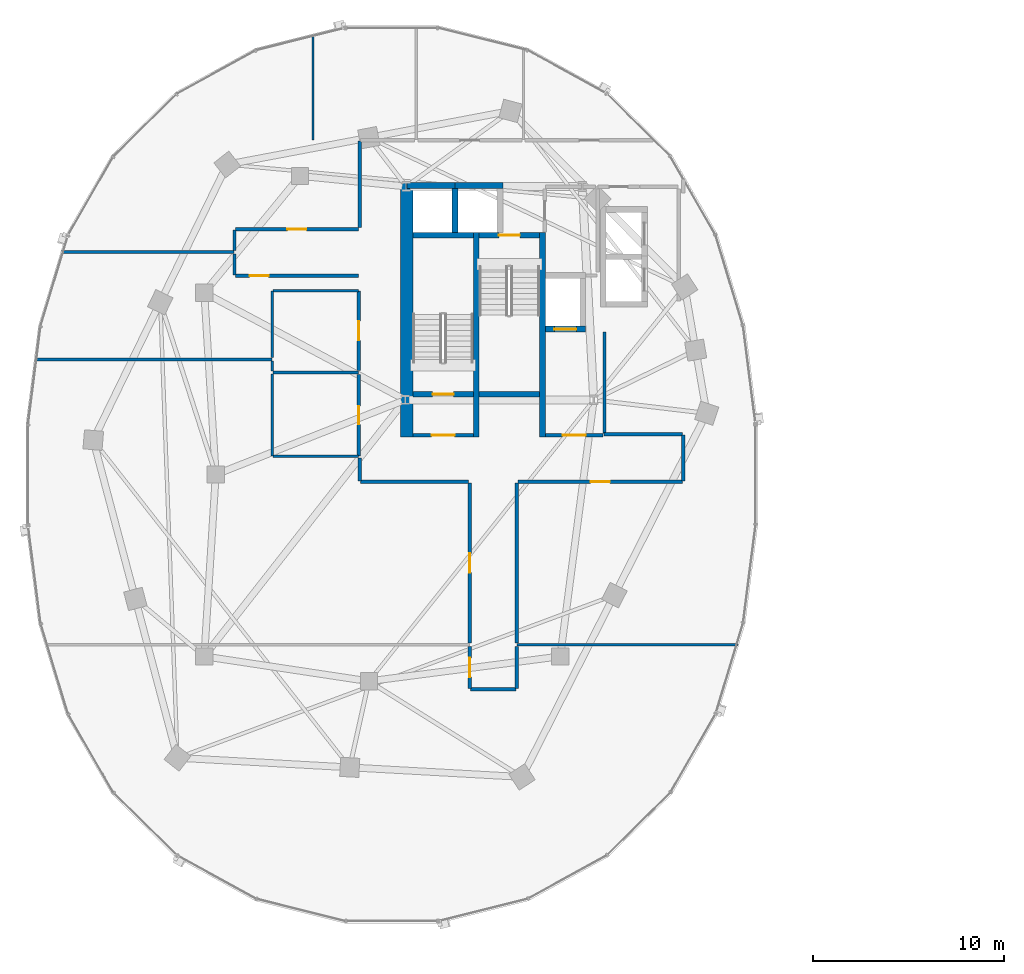
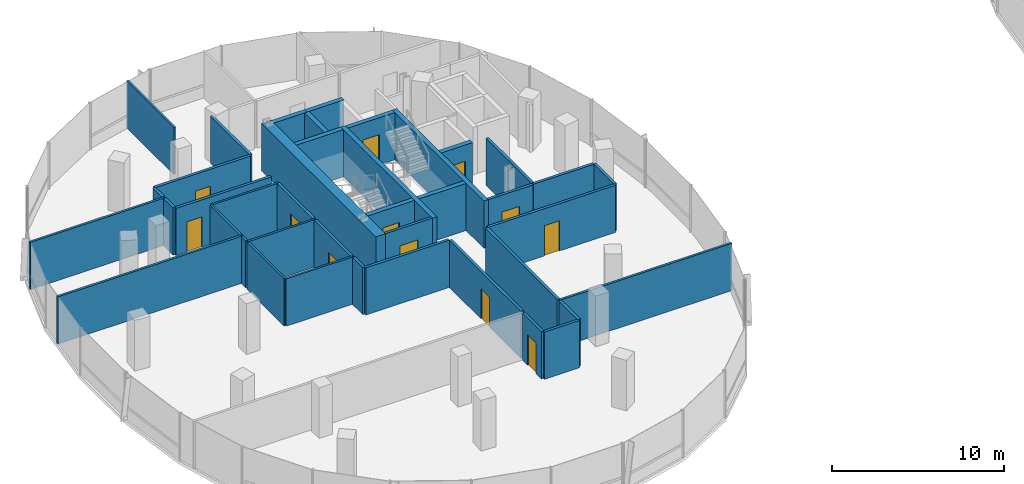
# One storey, part 12 of 22: 41 walls, 12 doors, 12 openings.
"""IFC4 building model written with IfcOpenShell, lengths in metres."""

from ifc_helpers import new_model, si_unit, direction, frame, frame_2d, origin, place, context, subcontext, project, spatial, rectangle, extrude, material, layer, layer_set, type_object, element, fill, save


model = new_model("IFC4")

# Units and contexts
model_context = context("Model", 3, precision=1e-05, world=origin(), true_north=direction((0.0, 1.0)))
body_context = subcontext(model_context, "Body", "Model", "MODEL_VIEW")
ifc_project = project(units=[si_unit("LENGTHUNIT", "METRE"), si_unit("AREAUNIT", "SQUARE_METRE"), si_unit("VOLUMEUNIT", "CUBIC_METRE"), si_unit("PLANEANGLEUNIT", "RADIAN"), si_unit("MASSUNIT", "GRAM", prefix="KILO"), si_unit("THERMODYNAMICTEMPERATUREUNIT", "KELVIN"), si_unit("POWERUNIT", "WATT")], contexts=[model_context])

# Site, building, storey
site_placement = place(None, origin())
site = spatial("IfcSite", under=ifc_project, at=site_placement, CompositionType="ELEMENT")
building_placement = place(site_placement, origin())
building = spatial("IfcBuilding", under=site, at=building_placement, Name="Cundina Bronze Exchange", CompositionType="ELEMENT")
storey_placement = place(building_placement, frame((0.0, 0.0, 165.60009765625)))
storey = spatial("IfcBuildingStorey", under=building, at=storey_placement, Name="L43", CompositionType="ELEMENT", Elevation=165.60009765625)

# Wall
ifc_material_1 = material(Name="Gypsum Fireboard Partition EI120")
ifc_layer_1 = layer(ifc_material_1, 0.179931640625, Name="Gypsum Fireboard Partition EI120")
ifc_layer_set_1 = layer_set([ifc_layer_1], Name="Gypsum Fireboard Partition EI120")
wall_type_1 = type_object("IfcWallType", Name="WL-COR-180", PredefinedType="PARTITIONING", material=ifc_layer_set_1)
wall_1_placement = place(storey_placement, frame((-20.889892578125, 2.14990234375, 0.0), z_axis=(0.0, 0.0, 1.0), x_axis=(0.0, 1.0, 0.0)))
element("IfcWall", 1, at=wall_1_placement, inside=storey, type_object=wall_type_1, Name="L43 W Firefighting Lobby Side Wall", PredefinedType="PARTITIONING", context=body_context, shape_type="SweptSolid", body=[
    extrude(rectangle(XDim=5.300048828125, YDim=0.179931640625, at=frame_2d((2.64990234375, 0.0))), origin(), (0.0, 0.0, 1.0), 3.35986328125),
])

# Wall, opening, door
wall_2_placement = place(storey_placement, frame((-23.97998046875, 2.06005859375, 0.0), z_axis=(0.0, 0.0, 1.0), x_axis=(1.0, 0.0, 0.0)))
wall_2 = element("IfcWall", 2, at=wall_2_placement, inside=storey, type_object=wall_type_1, Name="L43 W Firefighting Lobby Exit Wall", PredefinedType="PARTITIONING", context=body_context, shape_type="SweptSolid", body=[
    extrude(rectangle(XDim=3.0, YDim=0.179931640625, at=frame_2d((1.5, 0.0))), origin(), (0.0, 0.0, 1.0), 3.35986328125),
])
opening_1_placement = place(wall_2_placement, frame((0.89990234375, 0.0, 0.0)))
opening_1 = element("IfcOpeningElement", 3, at=opening_1_placement, cuts=wall_2, Name="Opening DF-01", PredefinedType="OPENING", context=body_context, shape_type="SweptSolid", body=[
    extrude(rectangle(XDim=1.199951171875, YDim=2.14990234375, at=frame_2d((0.60009765625, 1.074951171875))), frame((0.0, 0.099853515625, 0.0), z_axis=(0.0, -1.0, 0.0), x_axis=(1.0, 0.0, 0.0)), (0.0, 0.0, 1.0), 0.199951171875),
])
ifc_material_2 = material(Name="Steel ASTM A36 Painted", Category="steel")
door_type_1 = type_object("IfcDoorType", Name="DR-FFL-1200", OperationType="NOTDEFINED", PredefinedType="DOOR", material=ifc_material_2)
door_1_placement = place(opening_1_placement, origin())
door_1 = element("IfcDoor", 4, at=door_1_placement, inside=storey, type_object=door_type_1, Name="L43 W Firefighting Lobby Door", OperationType="SINGLE_SWING_RIGHT", OverallHeight=2.14990234375, OverallWidth=1.199951171875, PredefinedType="DOOR", context=body_context, shape_type="SweptSolid", body=[
    extrude(rectangle(XDim=1.199951171875, YDim=2.14990234375, at=frame_2d((0.60009765625, 1.074951171875))), frame((0.0, 0.02490234375, 0.0), z_axis=(0.0, -1.0, 0.0), x_axis=(1.0, 0.0, 0.0)), (0.0, 0.0, 1.0), 0.050048828125),
])
fill(opening_1, door_1)

wall_3_placement = place(storey_placement, frame((-30.89990234375, 2.06005859375, 0.0), z_axis=(0.0, 0.0, 1.0), x_axis=(1.0, 0.0, 0.0)))
wall_3 = element("IfcWall", 5, at=wall_3_placement, inside=storey, type_object=wall_type_1, Name="L43 W Stair Vestibule Exit Wall", PredefinedType="PARTITIONING", context=body_context, shape_type="SweptSolid", body=[
    extrude(rectangle(XDim=3.159912109375, YDim=0.179931640625, at=frame_2d((1.580078125, 0.0))), origin(), (0.0, 0.0, 1.0), 3.35986328125),
])
opening_2_placement = place(wall_3_placement, frame((0.97998046875, 0.0, 0.0)))
opening_2 = element("IfcOpeningElement", 6, at=opening_2_placement, cuts=wall_3, Name="Opening DF-01", PredefinedType="OPENING", context=body_context, shape_type="SweptSolid", body=[
    extrude(rectangle(XDim=1.199951171875, YDim=2.14990234375, at=frame_2d((0.60009765625, 1.074951171875))), frame((0.0, 0.099853515625, 0.0), z_axis=(0.0, -1.0, 0.0), x_axis=(1.0, 0.0, 0.0)), (0.0, 0.0, 1.0), 0.199951171875),
])
door_2_placement = place(opening_2_placement, origin())
door_2 = element("IfcDoor", 7, at=door_2_placement, inside=storey, type_object=door_type_1, Name="L43 W Stair Vestibule Door", OperationType="SINGLE_SWING_LEFT", OverallHeight=2.14990234375, OverallWidth=1.199951171875, PredefinedType="DOOR", context=body_context, shape_type="SweptSolid", body=[
    extrude(rectangle(XDim=1.199951171875, YDim=2.14990234375, at=frame_2d((0.60009765625, 1.074951171875))), frame((0.0, 0.02490234375, 0.0), z_axis=(0.0, -1.0, 0.0), x_axis=(1.0, 0.0, 0.0)), (0.0, 0.0, 1.0), 0.050048828125),
])
fill(opening_2, door_2)

wall_4_placement = place(storey_placement, frame((-33.719970703125, 0.969970703125, 0.0), z_axis=(0.0, 0.0, 1.0), x_axis=(0.0, 1.0, 0.0)))
wall_4 = element("IfcWall", 8, at=wall_4_placement, inside=storey, type_object=wall_type_1, Name="L43 Interior Partition 014", PredefinedType="PARTITIONING", context=body_context, shape_type="SweptSolid", body=[
    extrude(rectangle(XDim=4.260009765625, YDim=0.179931640625, at=frame_2d((2.1298828125, 0.0))), origin(), (0.0, 0.0, 1.0), 3.35986328125),
])
opening_3_placement = place(wall_4_placement, frame((1.655029296875, 0.0, 0.0)))
opening_3 = element("IfcOpeningElement", 9, at=opening_3_placement, cuts=wall_4, Name="Opening DW-01", PredefinedType="OPENING", context=body_context, shape_type="SweptSolid", body=[
    extrude(rectangle(XDim=0.949951171875, YDim=2.10009765625, at=frame_2d((0.47509765625, 1.050048828125))), frame((0.0, 0.099853515625, 0.0), z_axis=(0.0, -1.0, 0.0), x_axis=(1.0, 0.0, 0.0)), (0.0, 0.0, 1.0), 0.199951171875),
])
ifc_material_3 = material(Name="Solid Andean Oak Timber Grade A", Category="wood")
door_type_2 = type_object("IfcDoorType", Name="DR-WC-950", OperationType="NOTDEFINED", PredefinedType="DOOR", material=ifc_material_3)
door_3_placement = place(opening_3_placement, origin())
door_3 = element("IfcDoor", 10, at=door_3_placement, inside=storey, type_object=door_type_2, Name="L43 Interior Door 014", OperationType="SINGLE_SWING_RIGHT", OverallHeight=2.10009765625, OverallWidth=0.949951171875, PredefinedType="DOOR", context=body_context, shape_type="SweptSolid", body=[
    extrude(rectangle(XDim=0.949951171875, YDim=2.10009765625, at=frame_2d((0.47509765625, 1.050048828125))), frame((0.0, 0.02490234375, 0.0), z_axis=(0.0, -1.0, 0.0), x_axis=(1.0, 0.0, 0.0)), (0.0, 0.0, 1.0), 0.050048828125),
])
fill(opening_3, door_3)

wall_5_placement = place(storey_placement, frame((-33.719970703125, 5.429931640625, 0.0), z_axis=(0.0, 0.0, 1.0), x_axis=(0.0, 1.0, 0.0)))
wall_5 = element("IfcWall", 11, at=wall_5_placement, inside=storey, type_object=wall_type_1, Name="L43 Interior Partition 015", PredefinedType="PARTITIONING", context=body_context, shape_type="SweptSolid", body=[
    extrude(rectangle(XDim=4.16015625, YDim=0.179931640625, at=frame_2d((2.080078125, 0.0))), origin(), (0.0, 0.0, 1.0), 3.35986328125),
])
opening_4_placement = place(wall_5_placement, frame((1.580078125, 0.0, 0.0)))
opening_4 = element("IfcOpeningElement", 12, at=opening_4_placement, cuts=wall_5, Name="Opening DO-01", PredefinedType="OPENING", context=body_context, shape_type="SweptSolid", body=[
    extrude(rectangle(XDim=1.0, YDim=2.14990234375, at=frame_2d((0.5, 1.074951171875))), frame((0.0, 0.099853515625, 0.0), z_axis=(0.0, -1.0, 0.0), x_axis=(1.0, 0.0, 0.0)), (0.0, 0.0, 1.0), 0.199951171875),
])
door_type_3 = type_object("IfcDoorType", Name="DR-OFF-1000", OperationType="NOTDEFINED", PredefinedType="DOOR", material=ifc_material_3)
door_4_placement = place(opening_4_placement, origin())
door_4 = element("IfcDoor", 13, at=door_4_placement, inside=storey, type_object=door_type_3, Name="L43 Interior Door 015", OperationType="SINGLE_SWING_RIGHT", OverallHeight=2.14990234375, OverallWidth=1.0, PredefinedType="DOOR", context=body_context, shape_type="SweptSolid", body=[
    extrude(rectangle(XDim=1.0, YDim=2.14990234375, at=frame_2d((0.5, 1.074951171875))), frame((0.0, 0.02490234375, 0.0), z_axis=(0.0, -1.0, 0.0), x_axis=(1.0, 0.0, 0.0)), (0.0, 0.0, 1.0), 0.050048828125),
])
fill(opening_4, door_4)

# Wall
wall_6_placement = place(storey_placement, frame((-27.87841796875, -11.219970703125, 0.0), z_axis=(0.0, 0.0, 1.0), x_axis=(1.0, 0.0, 0.0)))
element("IfcWall", 14, at=wall_6_placement, inside=storey, type_object=wall_type_1, Name="L43 Interior Partition 023", PredefinedType="PARTITIONING", context=body_context, shape_type="SweptSolid", body=[
    extrude(rectangle(XDim=2.35693359375, YDim=0.179931640625, at=frame_2d((1.178466796875, 0.0))), origin(), (0.0, 0.0, 1.0), 3.35986328125),
])

# Wall, opening, door
wall_7_placement = place(storey_placement, frame((-27.919921875, -8.97998046875, 0.0), z_axis=(0.0, 0.0, 1.0), x_axis=(0.0, -1.0, 0.0)))
wall_7 = element("IfcWall", 15, at=wall_7_placement, inside=storey, type_object=wall_type_1, Name="L43 Interior Partition 024", PredefinedType="PARTITIONING", context=body_context, shape_type="SweptSolid", body=[
    extrude(rectangle(XDim=2.198486328125, YDim=0.179931640625, at=frame_2d((1.09912109375, 0.0))), origin(), (0.0, 0.0, 1.0), 3.35986328125),
])
opening_5_placement = place(wall_7_placement, frame((0.59912109375, 0.0, 0.0)))
opening_5 = element("IfcOpeningElement", 16, at=opening_5_placement, cuts=wall_7, Name="Opening DO-01", PredefinedType="OPENING", context=body_context, shape_type="SweptSolid", body=[
    extrude(rectangle(XDim=1.0, YDim=2.14990234375, at=frame_2d((0.5, 1.074951171875))), frame((0.0, 0.099853515625, 0.0), z_axis=(0.0, -1.0, 0.0), x_axis=(1.0, 0.0, 0.0)), (0.0, 0.0, 1.0), 0.199951171875),
])
door_5_placement = place(opening_5_placement, origin())
door_5 = element("IfcDoor", 17, at=door_5_placement, inside=storey, type_object=door_type_3, Name="L43 Interior Door 024", OperationType="SINGLE_SWING_LEFT", OverallHeight=2.14990234375, OverallWidth=1.0, PredefinedType="DOOR", context=body_context, shape_type="SweptSolid", body=[
    extrude(rectangle(XDim=1.0, YDim=2.14990234375, at=frame_2d((0.5, 1.074951171875))), frame((0.0, 0.02490234375, 0.0), z_axis=(0.0, -1.0, 0.0), x_axis=(1.0, 0.0, 0.0)), (0.0, 0.0, 1.0), 0.050048828125),
])
fill(opening_5, door_5)

# Wall
wall_8_placement = place(storey_placement, frame((-25.47998046875, -11.178466796875, 0.0), z_axis=(0.0, 0.0, 1.0), x_axis=(0.0, 1.0, 0.0)))
element("IfcWall", 18, at=wall_8_placement, inside=storey, type_object=wall_type_1, Name="L43 Interior Partition 025", PredefinedType="PARTITIONING", context=body_context, shape_type="SweptSolid", body=[
    extrude(rectangle(XDim=2.198486328125, YDim=0.179931640625, at=frame_2d((1.09912109375, 0.0))), origin(), (0.0, 0.0, 1.0), 3.35986328125),
])

# Wall, opening, door
wall_9_placement = place(storey_placement, frame((-27.919921875, -0.449951171875, 0.0), z_axis=(0.0, 0.0, 1.0), x_axis=(0.0, -1.0, 0.0)))
wall_9 = element("IfcWall", 19, at=wall_9_placement, inside=storey, type_object=wall_type_1, Name="L43 Interior Partition 026", PredefinedType="PARTITIONING", context=body_context, shape_type="SweptSolid", body=[
    extrude(rectangle(XDim=8.35009765625, YDim=0.179931640625, at=frame_2d((4.175048828125, 0.0))), origin(), (0.0, 0.0, 1.0), 3.35986328125),
])
opening_6_placement = place(wall_9_placement, frame((3.675048828125, 0.0, 0.0)))
opening_6 = element("IfcOpeningElement", 20, at=opening_6_placement, cuts=wall_9, Name="Opening DO-01", PredefinedType="OPENING", context=body_context, shape_type="SweptSolid", body=[
    extrude(rectangle(XDim=1.0, YDim=2.14990234375, at=frame_2d((0.5, 1.074951171875))), frame((0.0, 0.099853515625, 0.0), z_axis=(0.0, -1.0, 0.0), x_axis=(1.0, 0.0, 0.0)), (0.0, 0.0, 1.0), 0.199951171875),
])
door_6_placement = place(opening_6_placement, origin())
door_6 = element("IfcDoor", 21, at=door_6_placement, inside=storey, type_object=door_type_3, Name="L43 Interior Door 026", OperationType="SINGLE_SWING_LEFT", OverallHeight=2.14990234375, OverallWidth=1.0, PredefinedType="DOOR", context=body_context, shape_type="SweptSolid", body=[
    extrude(rectangle(XDim=1.0, YDim=2.14990234375, at=frame_2d((0.5, 1.074951171875))), frame((0.0, 0.02490234375, 0.0), z_axis=(0.0, -1.0, 0.0), x_axis=(1.0, 0.0, 0.0)), (0.0, 0.0, 1.0), 0.050048828125),
])
fill(opening_6, door_6)

# Walls
wall_10_placement = place(storey_placement, frame((-33.62841796875, -0.3701171875, 0.0), z_axis=(0.0, 0.0, 1.0), x_axis=(1.0, 0.0, 0.0)))
element("IfcWall", 22, at=wall_10_placement, inside=storey, type_object=wall_type_1, Name="L43 Interior Partition 027", PredefinedType="PARTITIONING", context=body_context, shape_type="SweptSolid", body=[
    extrude(rectangle(XDim=5.62841796875, YDim=0.179931640625, at=frame_2d((2.814208984375, 0.0))), origin(), (0.0, 0.0, 1.0), 3.35986328125),
])
wall_11_placement = place(storey_placement, frame((-33.669921875, 0.858642578125, 0.0), z_axis=(0.0, 0.0, 1.0), x_axis=(0.0, -1.0, 0.0)))
element("IfcWall", 23, at=wall_11_placement, inside=storey, type_object=wall_type_1, Name="L43 Interior Partition 028", PredefinedType="PARTITIONING", context=body_context, shape_type="SweptSolid", body=[
    extrude(rectangle(XDim=1.187255859375, YDim=0.179931640625, at=frame_2d((0.59375, 0.0))), origin(), (0.0, 0.0, 1.0), 3.35986328125),
])

# Wall, opening, door
wall_12_placement = place(storey_placement, frame((-25.39990234375, -0.3701171875, 0.0), z_axis=(0.0, 0.0, 1.0), x_axis=(1.0, 0.0, 0.0)))
wall_12 = element("IfcWall", 24, at=wall_12_placement, inside=storey, type_object=wall_type_1, Name="L43 Interior Partition 029", PredefinedType="PARTITIONING", context=body_context, shape_type="SweptSolid", body=[
    extrude(rectangle(XDim=8.578369140625, YDim=0.179931640625, at=frame_2d((4.2890625, 0.0))), origin(), (0.0, 0.0, 1.0), 3.35986328125),
])
opening_7_placement = place(wall_12_placement, frame((3.789306640625, 0.0, 0.0)))
opening_7 = element("IfcOpeningElement", 25, at=opening_7_placement, cuts=wall_12, Name="Opening DO-01", PredefinedType="OPENING", context=body_context, shape_type="SweptSolid", body=[
    extrude(rectangle(XDim=1.0, YDim=2.14990234375, at=frame_2d((0.5, 1.074951171875))), frame((0.0, 0.099853515625, 0.0), z_axis=(0.0, -1.0, 0.0), x_axis=(1.0, 0.0, 0.0)), (0.0, 0.0, 1.0), 0.199951171875),
])
door_7_placement = place(opening_7_placement, origin())
door_7 = element("IfcDoor", 26, at=door_7_placement, inside=storey, type_object=door_type_3, Name="L43 Interior Door 029", OperationType="SINGLE_SWING_LEFT", OverallHeight=2.14990234375, OverallWidth=1.0, PredefinedType="DOOR", context=body_context, shape_type="SweptSolid", body=[
    extrude(rectangle(XDim=1.0, YDim=2.14990234375, at=frame_2d((0.5, 1.074951171875))), frame((0.0, 0.02490234375, 0.0), z_axis=(0.0, -1.0, 0.0), x_axis=(1.0, 0.0, 0.0)), (0.0, 0.0, 1.0), 0.050048828125),
])
fill(opening_7, door_7)

# Walls
wall_13_placement = place(storey_placement, frame((-25.47998046875, -8.800048828125, 0.0), z_axis=(0.0, 0.0, 1.0), x_axis=(0.0, 1.0, 0.0)))
element("IfcWall", 27, at=wall_13_placement, inside=storey, type_object=wall_type_1, Name="L43 Interior Partition 030", PredefinedType="PARTITIONING", context=body_context, shape_type="SweptSolid", body=[
    extrude(rectangle(XDim=8.35009765625, YDim=0.179931640625, at=frame_2d((4.175048828125, 0.0))), origin(), (0.0, 0.0, 1.0), 3.35986328125),
])
wall_14_placement = place(storey_placement, frame((-16.821533203125, 2.10009765625, 0.0), z_axis=(0.0, 0.0, 1.0), x_axis=(-1.0, 0.0, 0.0)))
element("IfcWall", 28, at=wall_14_placement, inside=storey, type_object=wall_type_1, Name="L43 Interior Partition 031", PredefinedType="PARTITIONING", context=body_context, shape_type="SweptSolid", body=[
    extrude(rectangle(XDim=4.098388671875, YDim=0.179931640625, at=frame_2d((2.04931640625, 0.0))), origin(), (0.0, 0.0, 1.0), 3.35986328125),
])
wall_15_placement = place(storey_placement, frame((-16.780029296875, -0.32861328125, 0.0), z_axis=(0.0, 0.0, 1.0), x_axis=(0.0, 1.0, 0.0)))
element("IfcWall", 29, at=wall_15_placement, inside=storey, type_object=wall_type_1, Name="L43 Interior Partition 032", PredefinedType="PARTITIONING", context=body_context, shape_type="SweptSolid", body=[
    extrude(rectangle(XDim=2.38720703125, YDim=0.179931640625, at=frame_2d((1.193603515625, 0.0))), origin(), (0.0, 0.0, 1.0), 3.35986328125),
])

# Wall, opening, door
wall_16_placement = place(storey_placement, frame((-40.178466796875, 10.3798828125, 0.0), z_axis=(0.0, 0.0, 1.0), x_axis=(1.0, 0.0, 0.0)))
wall_16 = element("IfcWall", 30, at=wall_16_placement, inside=storey, type_object=wall_type_1, Name="L43 Interior Partition 034", PredefinedType="PARTITIONING", context=body_context, shape_type="SweptSolid", body=[
    extrude(rectangle(XDim=6.428466796875, YDim=0.179931640625, at=frame_2d((3.21435546875, 0.0))), origin(), (0.0, 0.0, 1.0), 3.35986328125),
])
opening_8_placement = place(wall_16_placement, frame((0.74267578125, 0.0, 0.0)))
opening_8 = element("IfcOpeningElement", 31, at=opening_8_placement, cuts=wall_16, Name="Opening DO-01", PredefinedType="OPENING", context=body_context, shape_type="SweptSolid", body=[
    extrude(rectangle(XDim=1.0, YDim=2.14990234375, at=frame_2d((0.5, 1.074951171875))), frame((0.0, 0.099853515625, 0.0), z_axis=(0.0, -1.0, 0.0), x_axis=(1.0, 0.0, 0.0)), (0.0, 0.0, 1.0), 0.199951171875),
])
door_8_placement = place(opening_8_placement, origin())
door_8 = element("IfcDoor", 32, at=door_8_placement, inside=storey, type_object=door_type_3, Name="L43 Interior Door 034", OperationType="SINGLE_SWING_RIGHT", OverallHeight=2.14990234375, OverallWidth=1.0, PredefinedType="DOOR", context=body_context, shape_type="SweptSolid", body=[
    extrude(rectangle(XDim=1.0, YDim=2.14990234375, at=frame_2d((0.5, 1.074951171875))), frame((0.0, 0.02490234375, 0.0), z_axis=(0.0, -1.0, 0.0), x_axis=(1.0, 0.0, 0.0)), (0.0, 0.0, 1.0), 0.050048828125),
])
fill(opening_8, door_8)

# Wall
wall_17_placement = place(storey_placement, frame((-40.219970703125, 11.530029296875, 0.0), z_axis=(0.0, 0.0, 1.0), x_axis=(0.0, -1.0, 0.0)))
element("IfcWall", 33, at=wall_17_placement, inside=storey, type_object=wall_type_1, Name="L43 Interior Partition 035", PredefinedType="PARTITIONING", context=body_context, shape_type="SweptSolid", body=[
    extrude(rectangle(XDim=1.108642578125, YDim=0.179931640625, at=frame_2d((0.55419921875, 0.0))), origin(), (0.0, 0.0, 1.0), 3.35986328125),
])

# Wall, opening, door
wall_18_placement = place(storey_placement, frame((-33.75, 12.820068359375, 0.0), z_axis=(0.0, 0.0, 1.0), x_axis=(-1.0, 0.0, 0.0)))
wall_18 = element("IfcWall", 34, at=wall_18_placement, inside=storey, type_object=wall_type_1, Name="L43 Interior Partition 036", PredefinedType="PARTITIONING", context=body_context, shape_type="SweptSolid", body=[
    extrude(rectangle(XDim=6.428466796875, YDim=0.179931640625, at=frame_2d((3.21435546875, 0.0))), origin(), (0.0, 0.0, 1.0), 3.35986328125),
])
opening_9_placement = place(wall_18_placement, frame((2.714111328125, 0.0, 0.0)))
opening_9 = element("IfcOpeningElement", 35, at=opening_9_placement, cuts=wall_18, Name="Opening DO-01", PredefinedType="OPENING", context=body_context, shape_type="SweptSolid", body=[
    extrude(rectangle(XDim=1.0, YDim=2.14990234375, at=frame_2d((0.5, 1.074951171875))), frame((0.0, 0.099853515625, 0.0), z_axis=(0.0, -1.0, 0.0), x_axis=(1.0, 0.0, 0.0)), (0.0, 0.0, 1.0), 0.199951171875),
])
door_9_placement = place(opening_9_placement, origin())
door_9 = element("IfcDoor", 36, at=door_9_placement, inside=storey, type_object=door_type_3, Name="L43 Interior Door 036", OperationType="SINGLE_SWING_LEFT", OverallHeight=2.14990234375, OverallWidth=1.0, PredefinedType="DOOR", context=body_context, shape_type="SweptSolid", body=[
    extrude(rectangle(XDim=1.0, YDim=2.14990234375, at=frame_2d((0.5, 1.074951171875))), frame((0.0, 0.02490234375, 0.0), z_axis=(0.0, -1.0, 0.0), x_axis=(1.0, 0.0, 0.0)), (0.0, 0.0, 1.0), 0.050048828125),
])
fill(opening_9, door_9)

# Walls
wall_19_placement = place(storey_placement, frame((-33.669921875, 17.428466796875, 0.0), z_axis=(0.0, 0.0, 1.0), x_axis=(0.0, -1.0, 0.0)))
element("IfcWall", 37, at=wall_19_placement, inside=storey, type_object=wall_type_1, Name="L43 Interior Partition 037", PredefinedType="PARTITIONING", context=body_context, shape_type="SweptSolid", body=[
    extrude(rectangle(XDim=4.528564453125, YDim=0.179931640625, at=frame_2d((2.26416015625, 0.0))), origin(), (0.0, 0.0, 1.0), 3.35986328125),
])
wall_20_placement = place(storey_placement, frame((-40.219970703125, 12.778564453125, 0.0), z_axis=(0.0, 0.0, 1.0), x_axis=(0.0, -1.0, 0.0)))
element("IfcWall", 38, at=wall_20_placement, inside=storey, type_object=wall_type_1, Name="L43 Interior Partition 039", PredefinedType="PARTITIONING", context=body_context, shape_type="SweptSolid", body=[
    extrude(rectangle(XDim=1.068603515625, YDim=0.179931640625, at=frame_2d((0.5341796875, 0.0))), origin(), (0.0, 0.0, 1.0), 3.35986328125),
])
ifc_material_4 = material(Name="Concrete C50/60", Category="concrete")
ifc_layer_2 = layer(ifc_material_4, 0.64990234375, Name="Concrete C50/60", Category="concrete")
ifc_layer_set_2 = layer_set([ifc_layer_2], Name="Concrete C50/60")
wall_type_2 = type_object("IfcWallType", Name="WL-CORE-650", PredefinedType="SHEAR", material=ifc_layer_set_2)
wall_21_placement = place(storey_placement, frame((-31.22509765625, 1.969970703125, 0.0), z_axis=(0.0, 0.0, 1.0), x_axis=(0.0, 1.0, 0.0)))
element("IfcWall", 39, at=wall_21_placement, inside=storey, type_object=wall_type_2, Name="L43 W Primary Core Shear Spine Wall", PredefinedType="SHEAR", context=body_context, shape_type="SweptSolid", body=[
    extrude(rectangle(XDim=13.330078125, YDim=0.64990234375, at=frame_2d((6.6650390625, 0.0))), origin(), (0.0, 0.0, 1.0), 3.35986328125),
])
ifc_material_5 = material(Name="Gypsum Acoustic Partition EI60")
ifc_layer_3 = layer(ifc_material_5, 0.125, Name="Gypsum Acoustic Partition EI60")
ifc_layer_set_3 = layer_set([ifc_layer_3], Name="Gypsum Acoustic Partition EI60")
wall_type_3 = type_object("IfcWallType", Name="WL-OFF-125", PredefinedType="PARTITIONING", material=ifc_layer_set_3)
wall_22_placement = place(storey_placement, frame((-36.1201171875, 17.469970703125, 0.0), z_axis=(0.0, 0.0, 1.0), x_axis=(0.0, 1.0, 0.0)))
element("IfcWall", 40, at=wall_22_placement, inside=storey, type_object=wall_type_3, Name="L43 Interior Partition 020", PredefinedType="PARTITIONING", context=body_context, shape_type="SweptSolid", body=[
    extrude(rectangle(XDim=5.511474609375, YDim=0.125, at=frame_2d((2.755859375, 0.0))), origin(), (0.0, 0.0, 1.0), 3.35986328125),
])
ifc_layer_4 = layer(ifc_material_4, 0.300048828125, Name="Concrete C50/60", Category="concrete")
ifc_layer_set_4 = layer_set([ifc_layer_4], Name="Concrete C50/60")
wall_type_4 = type_object("IfcWallType", Name="WL-SHFT-300", PredefinedType="SHEAR", material=ifc_layer_set_4)
for number, where, z_axis, x_axis, name in (
    (41, (-27.590087890625, 1.969970703125, 0.0), (0.0, 0.0, 1.0), (0.0, 1.0, 0.0), "L43 W Stair Shaft Dividing Shear Wall"),
    (42, (-24.1298828125, 1.969970703125, 0.0), (0.0, 0.0, 1.0), (0.0, 1.0, 0.0), "L43 W Stair 2 East Shear Wall"),
):
    element("IfcWall", number, at=place(storey_placement, frame(where, z_axis=z_axis, x_axis=x_axis)), inside=storey, type_object=wall_type_4, Name=name, PredefinedType="SHEAR", context=body_context, shape_type="SweptSolid", body=[
        extrude(rectangle(XDim=10.679931640625, YDim=0.300048828125, at=frame_2d((5.33984375, 0.0))), origin(), (0.0, 0.0, 1.0), 3.35986328125),
    ])

# Wall, opening, door
wall_23_placement = place(storey_placement, frame((-30.89990234375, 4.199951171875, 0.0), z_axis=(0.0, 0.0, 1.0), x_axis=(1.0, 0.0, 0.0)))
wall_23 = element("IfcWall", 43, at=wall_23_placement, inside=storey, type_object=wall_type_4, Name="L43 Stair W1 Landing Wall", PredefinedType="SHEAR", context=body_context, shape_type="SweptSolid", body=[
    extrude(rectangle(XDim=3.159912109375, YDim=0.300048828125, at=frame_2d((1.580078125, 0.0))), origin(), (0.0, 0.0, 1.0), 3.35986328125),
])
opening_10_placement = place(wall_23_placement, frame((1.030029296875, 0.0, 0.0)))
opening_10 = element("IfcOpeningElement", 44, at=opening_10_placement, cuts=wall_23, Name="Opening DS-01", PredefinedType="OPENING", context=body_context, shape_type="SweptSolid", body=[
    extrude(rectangle(XDim=1.10009765625, YDim=2.14990234375, at=frame_2d((0.550048828125, 1.074951171875))), frame((0.0, 0.159912109375, 0.0), z_axis=(0.0, -1.0, 0.0), x_axis=(1.0, 0.0, 0.0)), (0.0, 0.0, 1.0), 0.320068359375),
])
door_type_4 = type_object("IfcDoorType", Name="DR-STR-1100", OperationType="NOTDEFINED", PredefinedType="DOOR", material=ifc_material_2)
door_10_placement = place(opening_10_placement, origin())
door_10 = element("IfcDoor", 45, at=door_10_placement, inside=storey, type_object=door_type_4, Name="L43 Smokeproof Stair W1 Door", OperationType="SINGLE_SWING_RIGHT", OverallHeight=2.14990234375, OverallWidth=1.10009765625, PredefinedType="DOOR", context=body_context, shape_type="SweptSolid", body=[
    extrude(rectangle(XDim=1.10009765625, YDim=2.14990234375, at=frame_2d((0.550048828125, 1.074951171875))), frame((0.0, 0.02490234375, 0.0), z_axis=(0.0, -1.0, 0.0), x_axis=(1.0, 0.0, 0.0)), (0.0, 0.0, 1.0), 0.050048828125),
])
fill(opening_10, door_10)

# Wall
wall_24_placement = place(storey_placement, frame((-30.89990234375, 12.5, 0.0), z_axis=(0.0, 0.0, 1.0), x_axis=(1.0, 0.0, 0.0)))
element("IfcWall", 46, at=wall_24_placement, inside=storey, type_object=wall_type_4, Name="L43 Stair W1 Far Shaft Wall", PredefinedType="SHEAR", context=body_context, shape_type="SweptSolid", body=[
    extrude(rectangle(XDim=3.159912109375, YDim=0.300048828125, at=frame_2d((1.580078125, 0.0))), origin(), (0.0, 0.0, 1.0), 3.35986328125),
])

# Wall, opening, door
wall_25_placement = place(storey_placement, frame((-27.43994140625, 12.5, 0.0), z_axis=(0.0, 0.0, 1.0), x_axis=(1.0, 0.0, 0.0)))
wall_25 = element("IfcWall", 47, at=wall_25_placement, inside=storey, type_object=wall_type_4, Name="L43 Stair W2 Landing Wall", PredefinedType="SHEAR", context=body_context, shape_type="SweptSolid", body=[
    extrude(rectangle(XDim=3.159912109375, YDim=0.300048828125, at=frame_2d((1.580078125, 0.0))), origin(), (0.0, 0.0, 1.0), 3.35986328125),
])
opening_11_placement = place(wall_25_placement, frame((1.030029296875, 0.0, 0.0)))
opening_11 = element("IfcOpeningElement", 48, at=opening_11_placement, cuts=wall_25, Name="Opening DS-01", PredefinedType="OPENING", context=body_context, shape_type="SweptSolid", body=[
    extrude(rectangle(XDim=1.10009765625, YDim=2.14990234375, at=frame_2d((0.550048828125, 1.074951171875))), frame((0.0, 0.159912109375, 0.0), z_axis=(0.0, -1.0, 0.0), x_axis=(1.0, 0.0, 0.0)), (0.0, 0.0, 1.0), 0.320068359375),
])
door_11_placement = place(opening_11_placement, origin())
door_11 = element("IfcDoor", 49, at=door_11_placement, inside=storey, type_object=door_type_4, Name="L43 Smokeproof Stair W2 Door", OperationType="SINGLE_SWING_LEFT", OverallHeight=2.14990234375, OverallWidth=1.10009765625, PredefinedType="DOOR", context=body_context, shape_type="SweptSolid", body=[
    extrude(rectangle(XDim=1.10009765625, YDim=2.14990234375, at=frame_2d((0.550048828125, 1.074951171875))), frame((0.0, 0.02490234375, 0.0), z_axis=(0.0, -1.0, 0.0), x_axis=(1.0, 0.0, 0.0)), (0.0, 0.0, 1.0), 0.050048828125),
])
fill(opening_11, door_11)

# Wall
wall_26_placement = place(storey_placement, frame((-27.43994140625, 4.199951171875, 0.0), z_axis=(0.0, 0.0, 1.0), x_axis=(1.0, 0.0, 0.0)))
element("IfcWall", 50, at=wall_26_placement, inside=storey, type_object=wall_type_4, Name="L43 Stair W2 Far Shaft Wall", PredefinedType="SHEAR", context=body_context, shape_type="SweptSolid", body=[
    extrude(rectangle(XDim=3.159912109375, YDim=0.300048828125, at=frame_2d((1.580078125, 0.0))), origin(), (0.0, 0.0, 1.0), 3.35986328125),
])

# Wall, opening, door
wall_27_placement = place(storey_placement, frame((-23.97998046875, 7.60009765625, 0.0), z_axis=(0.0, 0.0, 1.0), x_axis=(1.0, 0.0, 0.0)))
wall_27 = element("IfcWall", 51, at=wall_27_placement, inside=storey, type_object=wall_type_4, Name="L43 FFL-W Hoistway Front Wall", PredefinedType="SHEAR", context=body_context, shape_type="SweptSolid", body=[
    extrude(rectangle(XDim=2.10009765625, YDim=0.300048828125, at=frame_2d((1.050048828125, 0.0))), origin(), (0.0, 0.0, 1.0), 3.35986328125),
])
opening_12_placement = place(wall_27_placement, frame((0.47509765625, 0.0, 0.0)))
opening_12 = element("IfcOpeningElement", 52, at=opening_12_placement, cuts=wall_27, Name="Opening LD-01", PredefinedType="OPENING", context=body_context, shape_type="SweptSolid", body=[
    extrude(rectangle(XDim=1.14990234375, YDim=2.199951171875, at=frame_2d((0.574951171875, 1.10009765625))), frame((0.0, 0.159912109375, 0.0), z_axis=(0.0, -1.0, 0.0), x_axis=(1.0, 0.0, 0.0)), (0.0, 0.0, 1.0), 0.320068359375),
])
door_type_5 = type_object("IfcDoorType", Name="DR-LND-1150", OperationType="NOTDEFINED", PredefinedType="TRAPDOOR", material=ifc_material_2)
door_12_placement = place(opening_12_placement, origin())
door_12 = element("IfcDoor", 53, at=door_12_placement, inside=storey, type_object=door_type_5, Name="L43 FFL-W Sliding Landing Door", OperationType="SLIDING_TO_LEFT", OverallHeight=2.199951171875, OverallWidth=1.14990234375, PredefinedType="TRAPDOOR", context=body_context, shape_type="SweptSolid", body=[
    extrude(rectangle(XDim=1.14990234375, YDim=2.199951171875, at=frame_2d((0.574951171875, 1.10009765625))), frame((0.0, 0.02490234375, 0.0), z_axis=(0.0, -1.0, 0.0), x_axis=(1.0, 0.0, 0.0)), (0.0, 0.0, 1.0), 0.050048828125),
])
fill(opening_12, door_12)

# Walls
wall_28_placement = place(storey_placement, frame((-31.199951171875, 15.10009765625, 0.0), z_axis=(0.0, 0.0, 1.0), x_axis=(1.0, 0.0, 0.0)))
element("IfcWall", 54, at=wall_28_placement, inside=storey, type_object=wall_type_4, Name="L43 PH-W1 Hoistway Front Wall", PredefinedType="SHEAR", context=body_context, shape_type="SweptSolid", body=[
    extrude(rectangle(XDim=2.5, YDim=0.300048828125, at=frame_2d((1.25, 0.0))), origin(), (0.0, 0.0, 1.0), 3.35986328125),
])
wall_29_placement = place(storey_placement, frame((-28.699951171875, 12.64990234375, 0.0), z_axis=(0.0, 0.0, 1.0), x_axis=(0.0, 1.0, 0.0)))
element("IfcWall", 55, at=wall_29_placement, inside=storey, type_object=wall_type_4, Name="L43 PH-W1 Hoistway Divider Wall", PredefinedType="SHEAR", context=body_context, shape_type="SweptSolid", body=[
    extrude(rectangle(XDim=2.300048828125, YDim=0.300048828125, at=frame_2d((1.14990234375, 0.0))), origin(), (0.0, 0.0, 1.0), 3.35986328125),
])
wall_30_placement = place(storey_placement, frame((-28.699951171875, 15.10009765625, 0.0), z_axis=(0.0, 0.0, 1.0), x_axis=(1.0, 0.0, 0.0)))
element("IfcWall", 56, at=wall_30_placement, inside=storey, type_object=wall_type_4, Name="L43 PH-W2 Hoistway Front Wall", PredefinedType="SHEAR", context=body_context, shape_type="SweptSolid", body=[
    extrude(rectangle(XDim=2.5, YDim=0.300048828125, at=frame_2d((1.25, 0.0))), origin(), (0.0, 0.0, 1.0), 3.35986328125),
])
ifc_layer_5 = layer(ifc_material_5, 0.14990234375, Name="Gypsum Acoustic Partition EI60")
ifc_layer_set_5 = layer_set([ifc_layer_5], Name="Gypsum Acoustic Partition EI60")
wall_type_5 = type_object("IfcWallType", Name="WL-TEN-150", PredefinedType="PARTITIONING", material=ifc_layer_set_5)
wall_31_placement = place(storey_placement, frame((-25.449951171875, -8.889892578125, 0.0), z_axis=(0.0, 0.0, 1.0), x_axis=(1.0, 0.0, 0.0)))
element("IfcWall", 57, at=wall_31_placement, inside=storey, type_object=wall_type_5, Name="L43 Interior Partition 017", PredefinedType="PARTITIONING", context=body_context, shape_type="SweptSolid", body=[
    extrude(rectangle(XDim=11.53173828125, YDim=0.14990234375, at=frame_2d((5.765869140625, 0.0))), origin(), (0.0, 0.0, 1.0), 3.35986328125),
])
wall_32_placement = place(storey_placement, frame((-50.64111328125, 6.02001953125, 0.0), z_axis=(0.0, 0.0, 1.0), x_axis=(1.0, 0.0, 0.0)))
element("IfcWall", 58, at=wall_32_placement, inside=storey, type_object=wall_type_5, Name="L43 Interior Partition 018", PredefinedType="PARTITIONING", context=body_context, shape_type="SweptSolid", body=[
    extrude(rectangle(XDim=12.37109375, YDim=0.14990234375, at=frame_2d((6.185546875, 0.0))), origin(), (0.0, 0.0, 1.0), 3.35986328125),
])
wall_33_placement = place(storey_placement, frame((-49.25439453125, 11.6201171875, 0.0), z_axis=(0.0, 0.0, 1.0), x_axis=(1.0, 0.0, 0.0)))
element("IfcWall", 59, at=wall_33_placement, inside=storey, type_object=wall_type_5, Name="L43 Interior Partition 019", PredefinedType="PARTITIONING", context=body_context, shape_type="SweptSolid", body=[
    extrude(rectangle(XDim=9.00439453125, YDim=0.14990234375, at=frame_2d((4.502197265625, 0.0))), origin(), (0.0, 0.0, 1.0), 3.35986328125),
])
ifc_material_6 = material(Name="Moisture-Resistant Masonry Block Grade M15", Category="masonry")
ifc_layer_6 = layer(ifc_material_6, 0.139892578125, Name="Moisture-Resistant Masonry Block Grade M15", Category="masonry")
ifc_layer_set_6 = layer_set([ifc_layer_6], Name="Moisture-Resistant Masonry Block Grade M15")
wall_type_6 = type_object("IfcWallType", Name="WL-WET-140", PredefinedType="PARTITIONING", material=ifc_layer_set_6)
wall_34_placement = place(storey_placement, frame((-38.239990234375, 0.969970703125, 0.0), z_axis=(0.0, 0.0, 1.0), x_axis=(0.0, 1.0, 0.0)))
element("IfcWall", 60, at=wall_34_placement, inside=storey, type_object=wall_type_6, Name="L43 Interior Partition 008", PredefinedType="PARTITIONING", context=body_context, shape_type="SweptSolid", body=[
    extrude(rectangle(XDim=4.275146484375, YDim=0.139892578125, at=frame_2d((2.1376953125, 0.0))), origin(), (0.0, 0.0, 1.0), 3.35986328125),
])
wall_35_placement = place(storey_placement, frame((-38.239990234375, 5.4150390625, 0.0), z_axis=(0.0, 0.0, 1.0), x_axis=(0.0, 1.0, 0.0)))
element("IfcWall", 61, at=wall_35_placement, inside=storey, type_object=wall_type_6, Name="L43 Interior Partition 009", PredefinedType="PARTITIONING", context=body_context, shape_type="SweptSolid", body=[
    extrude(rectangle(XDim=0.52001953125, YDim=0.139892578125, at=frame_2d((0.260009765625, 0.0))), origin(), (0.0, 0.0, 1.0), 3.35986328125),
])
wall_36_placement = place(storey_placement, frame((-38.239990234375, 6.10498046875, 0.0), z_axis=(0.0, 0.0, 1.0), x_axis=(0.0, 1.0, 0.0)))
element("IfcWall", 62, at=wall_36_placement, inside=storey, type_object=wall_type_6, Name="L43 Interior Partition 010", PredefinedType="PARTITIONING", context=body_context, shape_type="SweptSolid", body=[
    extrude(rectangle(XDim=3.485107421875, YDim=0.139892578125, at=frame_2d((1.74267578125, 0.0))), origin(), (0.0, 0.0, 1.0), 3.35986328125),
])
for number, where, z_axis, x_axis, name in (
    (63, (-38.219970703125, 0.949951171875, 0.0), (0.0, 0.0, 1.0), (1.0, 0.0, 0.0), "L43 Interior Partition 011"),
    (64, (-38.219970703125, 5.330078125, 0.0), (0.0, 0.0, 1.0), (1.0, 0.0, 0.0), "L43 Interior Partition 012"),
    (65, (-38.219970703125, 9.610107421875, 0.0), (0.0, 0.0, 1.0), (1.0, 0.0, 0.0), "L43 Interior Partition 013"),
):
    element("IfcWall", number, at=place(storey_placement, frame(where, z_axis=z_axis, x_axis=x_axis)), inside=storey, type_object=wall_type_6, Name=name, PredefinedType="PARTITIONING", context=body_context, shape_type="SweptSolid", body=[
        extrude(rectangle(XDim=4.47998046875, YDim=0.139892578125, at=frame_2d((2.239990234375, 0.0))), origin(), (0.0, 0.0, 1.0), 3.35986328125),
    ])

save(model, "model.ifc")
